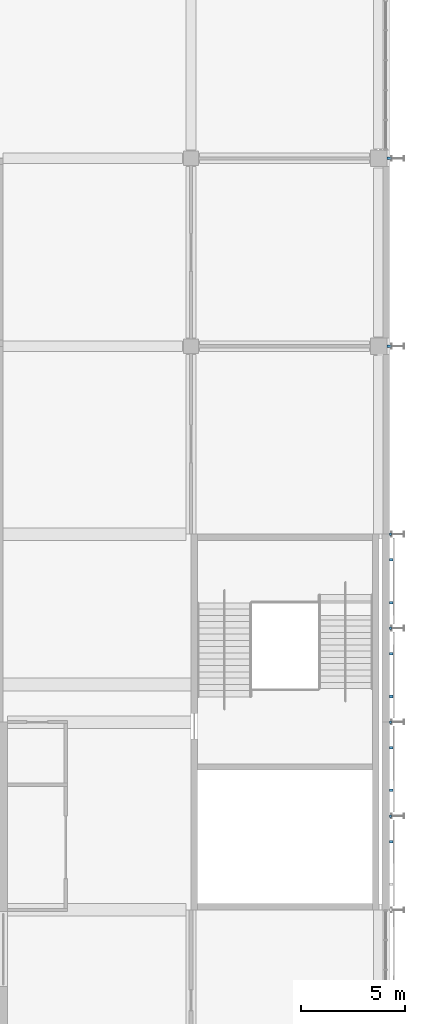
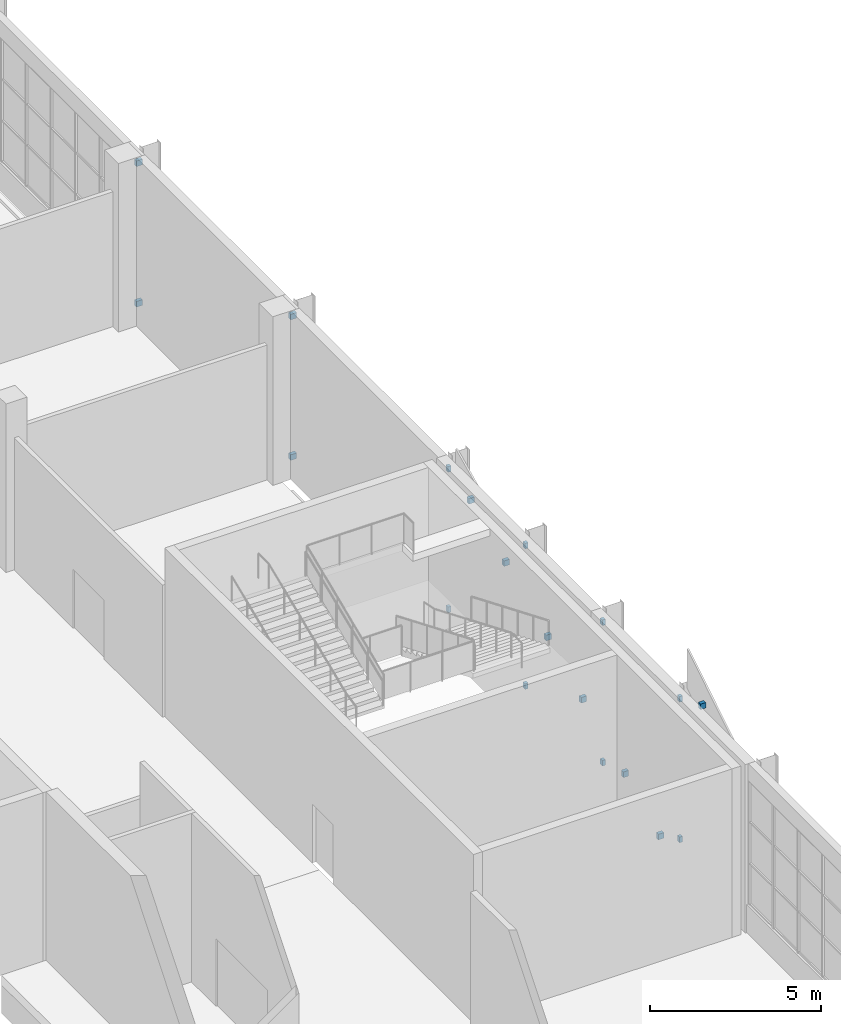
# One storey, part 62 of 89: 19 discrete accessories.
"""IFC4 building model written with IfcOpenShell, lengths in metres."""

from ifc_helpers import new_model, si_unit, direction, frame, origin, origin_2d, place, context, subcontext, project, spatial, rectangle, extrude, material, type_object, element, save


model = new_model("IFC4")

# Units and contexts
model_context = context("Model", 3, precision=1e-05, world=origin(), true_north=direction((0.0, 1.0)))
body_context = subcontext(model_context, "Body", "Model", "MODEL_VIEW")
ifc_project = project(units=[si_unit("LENGTHUNIT", "METRE"), si_unit("AREAUNIT", "SQUARE_METRE"), si_unit("VOLUMEUNIT", "CUBIC_METRE"), si_unit("PLANEANGLEUNIT", "RADIAN"), si_unit("MASSUNIT", "GRAM", prefix="KILO")], contexts=[model_context])

# Site, building, storey
site_placement = place(None, origin())
site = spatial("IfcSite", under=ifc_project, at=site_placement, CompositionType="ELEMENT")
building_placement = place(site_placement, origin())
building = spatial("IfcBuilding", under=site, at=building_placement, Name="Silverbay Arena", CompositionType="ELEMENT")
storey_placement = place(building_placement, frame((0.0, 0.0, 22.0)))
storey = spatial("IfcBuildingStorey", under=building, at=storey_placement, Name="L03", CompositionType="ELEMENT", Elevation=22.0)

# Discrete accessories
ifc_material = material(Name="Steel S355", Category="steel")
discrete_accessory_type = type_object("IfcDiscreteAccessoryType", Name="Steel bracket plate", PredefinedType="BRACKET", material=ifc_material)
for number, where, z_axis, x_axis, name in (
    (1, (207.550048828125, 94.5, 0.39990234375), (0.0, 0.0, 1.0), (1.0, 0.0, 0.0), "Fin bracket"),
    (2, (207.550048828125, 94.5, 5.39990234375), (0.0, 0.0, 1.0), (1.0, 0.0, 0.0), "Fin bracket"),
    (3, (207.550048828125, 99.0, 0.39990234375), (0.0, 0.0, 1.0), (1.0, 0.0, 0.0), "Fin bracket"),
    (4, (207.550048828125, 99.0, 5.39990234375), (0.0, 0.0, 1.0), (1.0, 0.0, 0.0), "Fin bracket"),
    (5, (207.550048828125, 103.5, 0.39990234375), (0.0, 0.0, 1.0), (1.0, 0.0, 0.0), "Fin bracket"),
    (6, (207.550048828125, 103.5, 5.39990234375), (0.0, 0.0, 1.0), (1.0, 0.0, 0.0), "Fin bracket"),
    (7, (207.550048828125, 108.0, 0.39990234375), (0.0, 0.0, 1.0), (1.0, 0.0, 0.0), "Fin bracket"),
    (8, (207.550048828125, 108.0, 5.39990234375), (0.0, 0.0, 1.0), (1.0, 0.0, 0.0), "Fin bracket"),
):
    element("IfcDiscreteAccessory", number, at=place(storey_placement, frame(where, z_axis=z_axis, x_axis=x_axis)), inside=storey, type_object=discrete_accessory_type, Name=name, PredefinedType="BRACKET", context=body_context, shape_type="SweptSolid", body=[
        extrude(rectangle(XDim=0.10009765625, YDim=0.1201171875, at=origin_2d()), origin(), (0.0, 0.0, 1.0), 0.199951171875),
    ])
for number, where, z_axis, x_axis, name in (
    (9, (207.5, 117.0, 0.39990234375), (0.0, 0.0, 1.0), (1.0, 0.0, 0.0), "Fin bracket"),
    (10, (207.5, 117.0, 5.39990234375), (0.0, 0.0, 1.0), (1.0, 0.0, 0.0), "Fin bracket"),
    (11, (207.5, 126.0, 0.39990234375), (0.0, 0.0, 1.0), (1.0, 0.0, 0.0), "Fin bracket"),
    (12, (207.5, 126.0, 5.39990234375), (0.0, 0.0, 1.0), (1.0, 0.0, 0.0), "Fin bracket"),
):
    element("IfcDiscreteAccessory", number, at=place(storey_placement, frame(where, z_axis=z_axis, x_axis=x_axis)), inside=storey, type_object=discrete_accessory_type, Name=name, PredefinedType="BRACKET", context=body_context, shape_type="SweptSolid", body=[
        extrude(rectangle(XDim=0.199951171875, YDim=0.1201171875, at=origin_2d()), origin(), (0.0, 0.0, 1.0), 0.199951171875),
    ])
for number, where, z_axis, x_axis, name in (
    (13, (207.590087890625, 95.72509765625, -0.2412109375), (0.0, 0.0, 1.0), (1.0, 0.0, 0.0), "Band bracket"),
    (14, (207.590087890625, 97.77490234375, 0.732421875), (0.0, 0.0, 1.0), (1.0, 0.0, 0.0), "Band bracket"),
    (15, (207.590087890625, 100.22509765625, 1.89599609375), (0.0, 0.0, 1.0), (1.0, 0.0, 0.0), "Band bracket"),
    (16, (207.590087890625, 102.27490234375, 2.8701171875), (0.0, 0.0, 1.0), (1.0, 0.0, 0.0), "Band bracket"),
    (17, (207.590087890625, 104.72509765625, 4.03369140625), (0.0, 0.0, 1.0), (1.0, 0.0, 0.0), "Band bracket"),
    (18, (207.590087890625, 106.77490234375, 5.00732421875), (0.0, 0.0, 1.0), (1.0, 0.0, 0.0), "Band bracket"),
    (19, (207.590087890625, 93.27490234375, 5.87939453125), (0.0, 0.0, 1.0), (1.0, 0.0, 0.0), "Band bracket"),
):
    element("IfcDiscreteAccessory", number, at=place(storey_placement, frame(where, z_axis=z_axis, x_axis=x_axis)), inside=storey, type_object=discrete_accessory_type, Name=name, PredefinedType="BRACKET", context=body_context, shape_type="SweptSolid", body=[
        extrude(rectangle(XDim=0.179931640625, YDim=0.1201171875, at=origin_2d()), origin(), (0.0, 0.0, 1.0), 0.199951171875),
    ])

save(model, "model.ifc")
